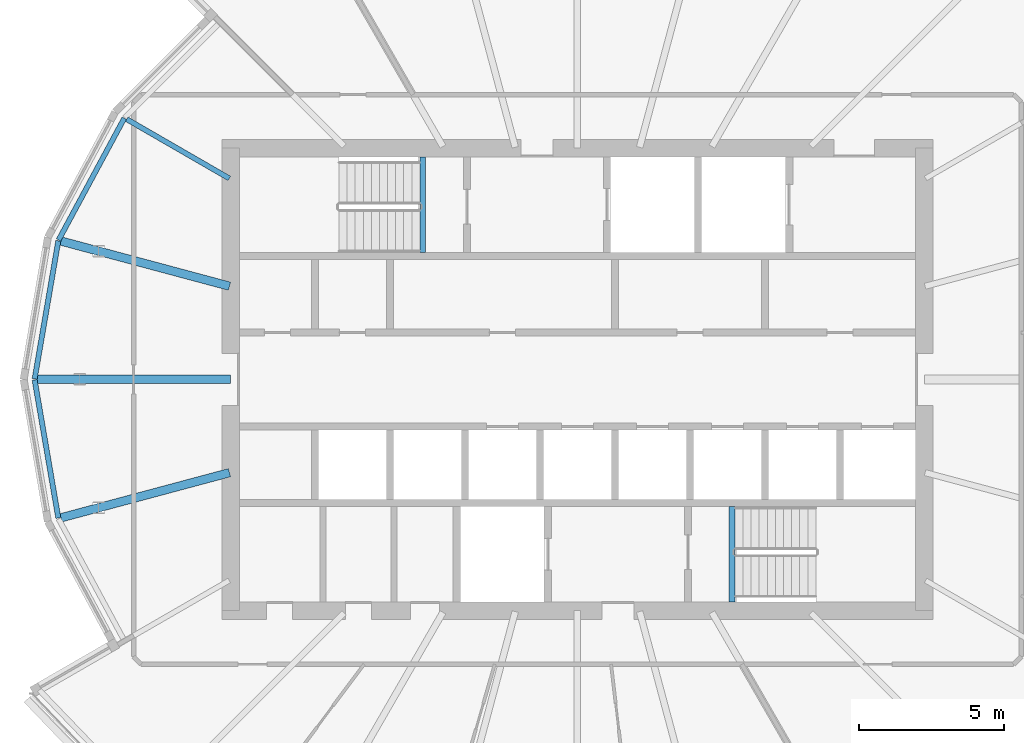
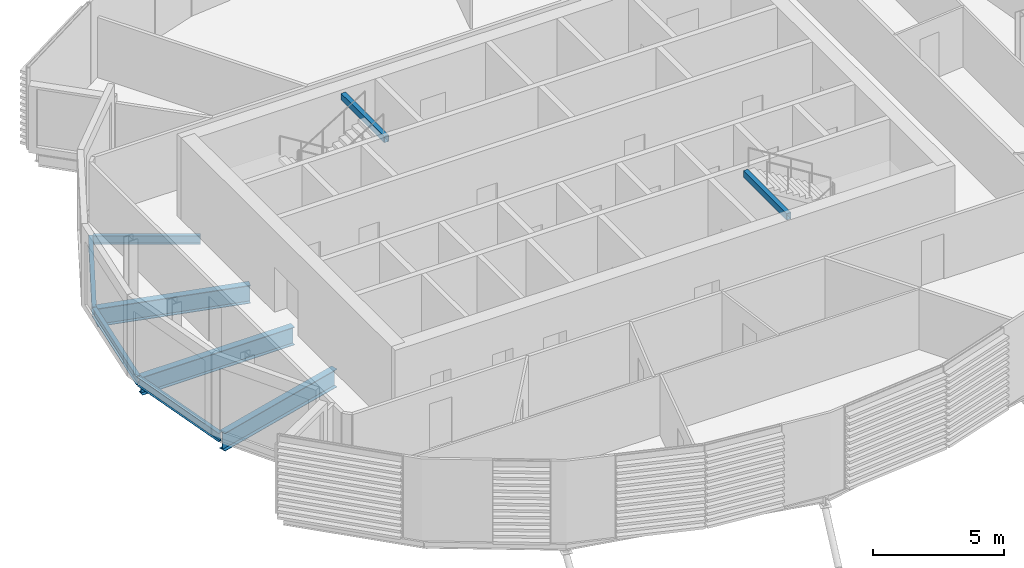
# One storey, part 5 of 37: 9 beams.
"""IFC4 building model written with IfcOpenShell, lengths in metres."""

from ifc_helpers import new_model, si_unit, direction, frame, origin, origin_2d, place, context, subcontext, project, spatial, hollow_rectangle, i_section, extrude, material, material_profile, profile_set, type_object, element, save


model = new_model("IFC4")

# Units and contexts
model_context = context("Model", 3, precision=1e-05, world=origin(), true_north=direction((0.0, 1.0)))
body_context = subcontext(model_context, "Body", "Model", "MODEL_VIEW")
ifc_project = project(units=[si_unit("LENGTHUNIT", "METRE"), si_unit("AREAUNIT", "SQUARE_METRE"), si_unit("VOLUMEUNIT", "CUBIC_METRE"), si_unit("PLANEANGLEUNIT", "RADIAN"), si_unit("MASSUNIT", "GRAM", prefix="KILO")], contexts=[model_context])

# Site, building, storey
site_placement = place(None, origin())
site = spatial("IfcSite", under=ifc_project, at=site_placement, CompositionType="ELEMENT")
building_placement = place(site_placement, origin())
building = spatial("IfcBuilding", under=site, at=building_placement, Name="Rimbun Link Towers", CompositionType="ELEMENT")
storey_placement = place(building_placement, frame((0.0, 0.0, 162.699951171875)))
storey = spatial("IfcBuildingStorey", under=building, at=storey_placement, Name="L39", CompositionType="ELEMENT", Elevation=162.699951171875)

# Beams
ifc_material_1 = material(Name="Steel S355J2", Category="steel")
ifc_material_profile_1 = material_profile(ifc_material_1, hollow_rectangle(XDim=0.199951171875, YDim=0.300048828125, WallThickness=0.011962890625, at=origin_2d()), Name="BOX 300x200x12")
ifc_profile_set_1 = profile_set([ifc_material_profile_1], Name="Steel S355J2")
beam_type_1 = type_object("IfcBeamType", Name="Stair trimmer beam BOX 300x200x12", PredefinedType="BEAM", material=ifc_profile_set_1)
for number, where, z_axis, x_axis, name in (
    (1, (-37.10009765625, 7.699951171875, 3.5), (0.0, -1.0, 0.0), (1.0, 0.0, 0.0), "L39 ST1 stair beam 1"),
    (2, (-26.39990234375, -7.699951171875, 3.5), (0.0, 1.0, 0.0), (-1.0, 0.0, 0.0), "L39 ST2 stair beam 1"),
):
    element("IfcBeam", number, at=place(storey_placement, frame(where, z_axis=z_axis, x_axis=x_axis)), inside=storey, type_object=beam_type_1, Name=name, PredefinedType="BEAM", context=body_context, shape_type="SweptSolid", body=[
        extrude(hollow_rectangle(XDim=0.199951171875, YDim=0.300048828125, WallThickness=0.011962890625, at=origin_2d()), origin(), (0.0, 0.0, 1.0), 3.300048828125),
    ])
ifc_material_2 = material(Name="Steel S355J2", Category="steel")
ifc_material_profile_2 = material_profile(ifc_material_2, i_section(OverallWidth=0.177978515625, OverallDepth=0.406494140625, WebThickness=0.0078125, FlangeThickness=0.0126953125, at=origin_2d()), Name="UB 406x178x60")
ifc_profile_set_2 = profile_set([ifc_material_profile_2], Name="Steel S355J2")
beam_type_2 = type_object("IfcBeamType", Name="UB 406x178x60", PredefinedType="BEAM", material=ifc_profile_set_2)
beam_1_placement = place(storey_placement, frame((-43.79541015625, 6.954345703125, -0.353271484375), z_axis=(-0.866026800146, 0.499997581422, 0.0), x_axis=(-0.499997581422, -0.866026800146, 0.0)))
element("IfcBeam", 3, at=beam_1_placement, inside=storey, type_object=beam_type_2, Name="Radial beam T1 L39 10", PredefinedType="BEAM", context=body_context, shape_type="SweptSolid", body=[
    extrude(i_section(OverallWidth=0.177978515625, OverallDepth=0.406494140625, WebThickness=0.0078125, FlangeThickness=0.0126953125, at=origin_2d()), origin(), (0.0, 0.0, 1.0), 4.0966796875),
])
beam_2_placement = place(storey_placement, frame((-47.42822265625, 9.03564453125, -0.353271484375), z_axis=(-0.474760075535, -0.880115259882, 0.0), x_axis=(0.880115259882, -0.474760075535, 0.0)))
element("IfcBeam", 4, at=beam_2_placement, inside=storey, type_object=beam_type_2, Name="Edge beam T1 L39 10 recess", PredefinedType="BEAM", context=body_context, shape_type="SweptSolid", body=[
    extrude(i_section(OverallWidth=0.177978515625, OverallDepth=0.406494140625, WebThickness=0.0078125, FlangeThickness=0.0126953125, at=origin_2d()), origin(), (0.0, 0.0, 1.0), 4.783935546875),
])
for number, where, z_axis, x_axis, name in (
    (5, (-49.70947265625, 4.796142578125, -0.353271484375), (-0.169090960301, -0.985600450053, 0.0), (0.985600450053, -0.169090960301, 0.0), "Edge beam T1 L39 11 recess"),
    (6, (-50.529541015625, -0.01611328125, -0.353271484375), (0.169090960301, -0.985600450053, 0.0), (0.985600450053, 0.169090960301, 0.0), "Edge beam T1 L39 12 recess"),
):
    element("IfcBeam", number, at=place(storey_placement, frame(where, z_axis=z_axis, x_axis=x_axis)), inside=storey, type_object=beam_type_2, Name=name, PredefinedType="BEAM", context=body_context, shape_type="SweptSolid", body=[
        extrude(i_section(OverallWidth=0.177978515625, OverallDepth=0.406494140625, WebThickness=0.0078125, FlangeThickness=0.0126953125, at=origin_2d()), origin(), (0.0, 0.0, 1.0), 4.849853515625),
    ])
ifc_material_3 = material(Name="Steel S355J2", Category="steel")
ifc_material_profile_3 = material_profile(ifc_material_3, i_section(OverallWidth=0.29248046875, OverallDepth=0.8408203125, WebThickness=0.0126953125, FlangeThickness=0.021728515625, at=origin_2d()), Name="UB 838x292x194")
ifc_profile_set_3 = profile_set([ifc_material_profile_3], Name="Steel S355J2")
beam_type_3 = type_object("IfcBeamType", Name="UB 838x292x194", PredefinedType="BEAM", material=ifc_profile_set_3)
beam_3_placement = place(storey_placement, frame((-43.788818359375, 3.225830078125, -0.5703125), z_axis=(-0.965932888353, 0.258792687681, 0.0), x_axis=(-0.258792687681, -0.965932888353, 0.0)))
element("IfcBeam", 7, at=beam_3_placement, inside=storey, type_object=beam_type_3, Name="Radial beam T1 L39 11", PredefinedType="BEAM", context=body_context, shape_type="SweptSolid", body=[
    extrude(i_section(OverallWidth=0.29248046875, OverallDepth=0.8408203125, WebThickness=0.0126953125, FlangeThickness=0.021728515625, at=origin_2d()), origin(), (0.0, 0.0, 1.0), 6.03662109375),
])
beam_4_placement = place(storey_placement, frame((-43.7509765625, 0.0, -0.5703125), z_axis=(-1.0, 0.0, 0.0), x_axis=(0.0, -1.0, 0.0)))
element("IfcBeam", 8, at=beam_4_placement, inside=storey, type_object=beam_type_3, Name="Radial beam T1 L39 12", PredefinedType="BEAM", context=body_context, shape_type="SweptSolid", body=[
    extrude(i_section(OverallWidth=0.29248046875, OverallDepth=0.8408203125, WebThickness=0.0126953125, FlangeThickness=0.021728515625, at=origin_2d()), origin(), (0.0, 0.0, 1.0), 6.69140625),
])
beam_5_placement = place(storey_placement, frame((-43.788818359375, -3.225830078125, -0.5703125), z_axis=(-0.965932888353, -0.258792687681, 0.0), x_axis=(0.258792687681, -0.965932888353, 0.0)))
element("IfcBeam", 9, at=beam_5_placement, inside=storey, type_object=beam_type_3, Name="Radial beam T1 L39 13", PredefinedType="BEAM", context=body_context, shape_type="SweptSolid", body=[
    extrude(i_section(OverallWidth=0.29248046875, OverallDepth=0.8408203125, WebThickness=0.0126953125, FlangeThickness=0.021728515625, at=origin_2d()), origin(), (0.0, 0.0, 1.0), 6.03662109375),
])

save(model, "model.ifc")
